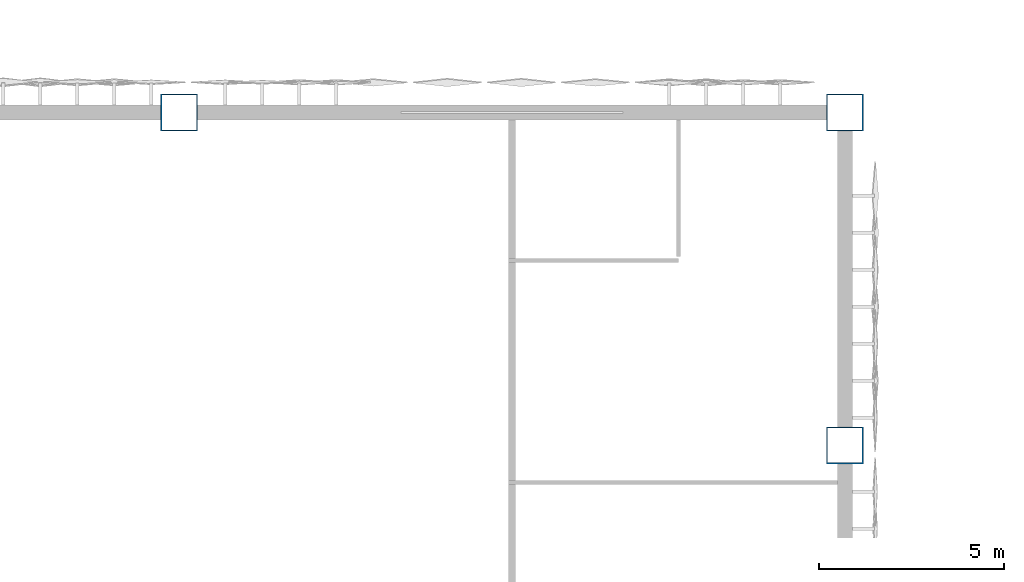
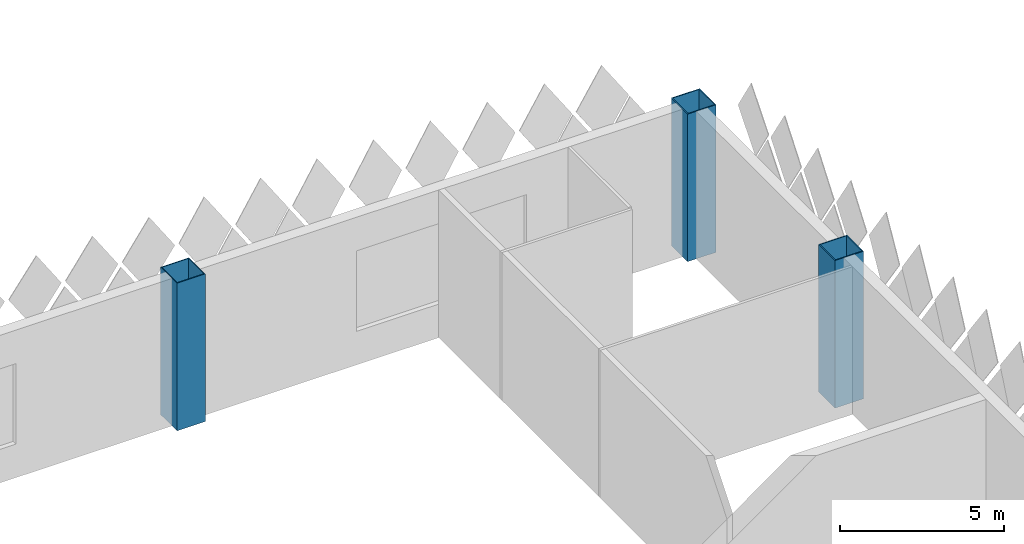
# One storey, part 12 of 185: 3 columns.
"""IFC4 building model written with IfcOpenShell, lengths in metres."""

from ifc_helpers import new_model, si_unit, direction, frame, origin, origin_2d, place, context, subcontext, project, spatial, hollow_rectangle, extrude, material, material_profile, profile_set, type_object, element, save


model = new_model("IFC4")

# Units and contexts
model_context = context("Model", 3, precision=1e-05, world=origin(), true_north=direction((0.0, 1.0)))
body_context = subcontext(model_context, "Body", "Model", "MODEL_VIEW")
ifc_project = project(units=[si_unit("LENGTHUNIT", "METRE"), si_unit("AREAUNIT", "SQUARE_METRE"), si_unit("VOLUMEUNIT", "CUBIC_METRE"), si_unit("PLANEANGLEUNIT", "RADIAN"), si_unit("MASSUNIT", "GRAM", prefix="KILO")], contexts=[model_context])

# Site, building, storey
site_placement = place(None, origin())
site = spatial("IfcSite", under=ifc_project, at=site_placement, CompositionType="ELEMENT")
building_placement = place(site_placement, origin())
building = spatial("IfcBuilding", under=site, at=building_placement, Name="Opaline Strait Convention Centre", CompositionType="ELEMENT")
storey_placement = place(building_placement, frame((0.0, 0.0, 6.0)))
storey = spatial("IfcBuildingStorey", under=building, at=storey_placement, Name="L01", CompositionType="ELEMENT", Elevation=6.0)

# Columns
ifc_material = material(Name="Steel Q355B", Category="steel")
ifc_material_profile = material_profile(ifc_material, hollow_rectangle(XDim=1.0, YDim=1.0, WallThickness=0.031982421875, at=origin_2d()), Name="BOX 1000x1000x32")
ifc_profile_set = profile_set([ifc_material_profile], Name="Steel Q355B")
column_type = type_object("IfcColumnType", Name="CFT column BOX 1000x1000x32 C60 fill", PredefinedType="COLUMN", material=ifc_profile_set)
for number, where, z_axis, x_axis, name in (
    (1, (243.0, 153.0, 0.0), (0.0, 0.0, 1.0), (1.0, 0.0, 0.0), "Roof column XC-23"),
    (2, (261.0, 144.0, 0.0), (0.0, 0.0, 1.0), (1.0, 0.0, 0.0), "Roof column XC-29"),
    (3, (261.0, 153.0, 0.0), (0.0, 0.0, 1.0), (1.0, 0.0, 0.0), "Roof column XC-30"),
):
    element("IfcColumn", number, at=place(storey_placement, frame(where, z_axis=z_axis, x_axis=x_axis)), inside=storey, type_object=column_type, Name=name, ObjectType="XC1", PredefinedType="COLUMN", context=body_context, shape_type="SweptSolid", body=[
        extrude(hollow_rectangle(XDim=1.0, YDim=1.0, WallThickness=0.031982421875, at=origin_2d()), origin(), (0.0, 0.0, 1.0), 5.5),
    ])

save(model, "model.ifc")
